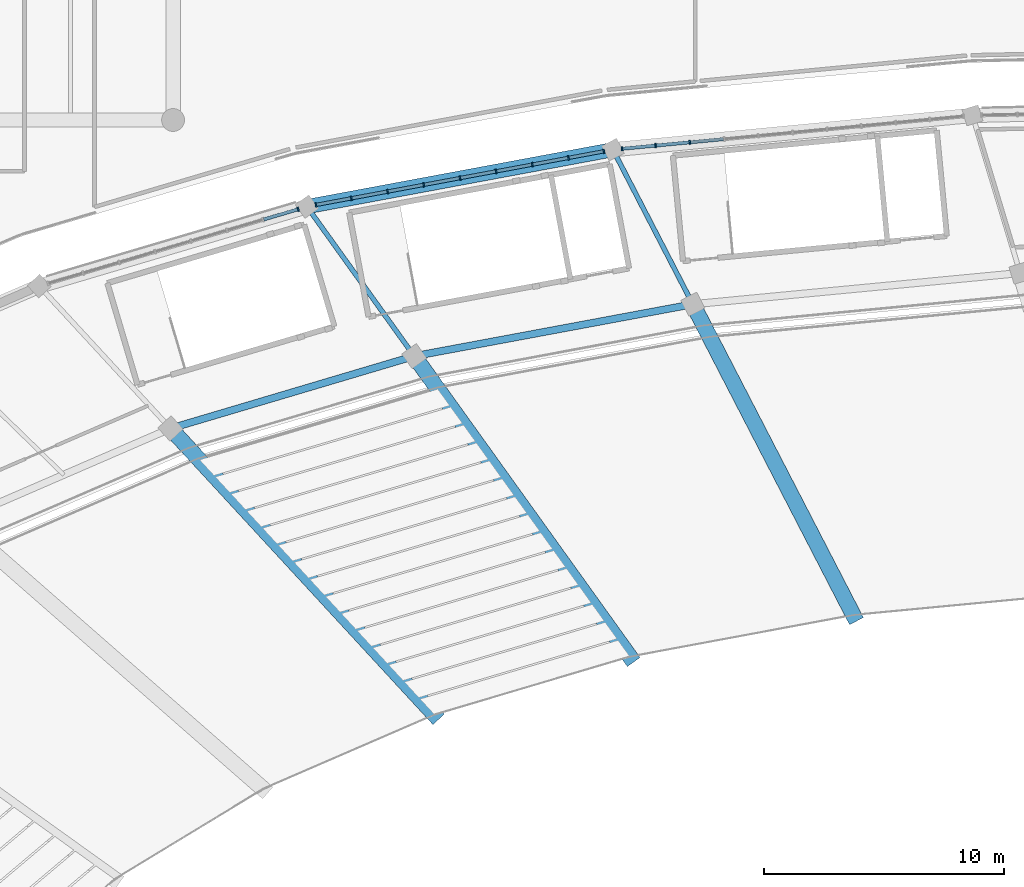
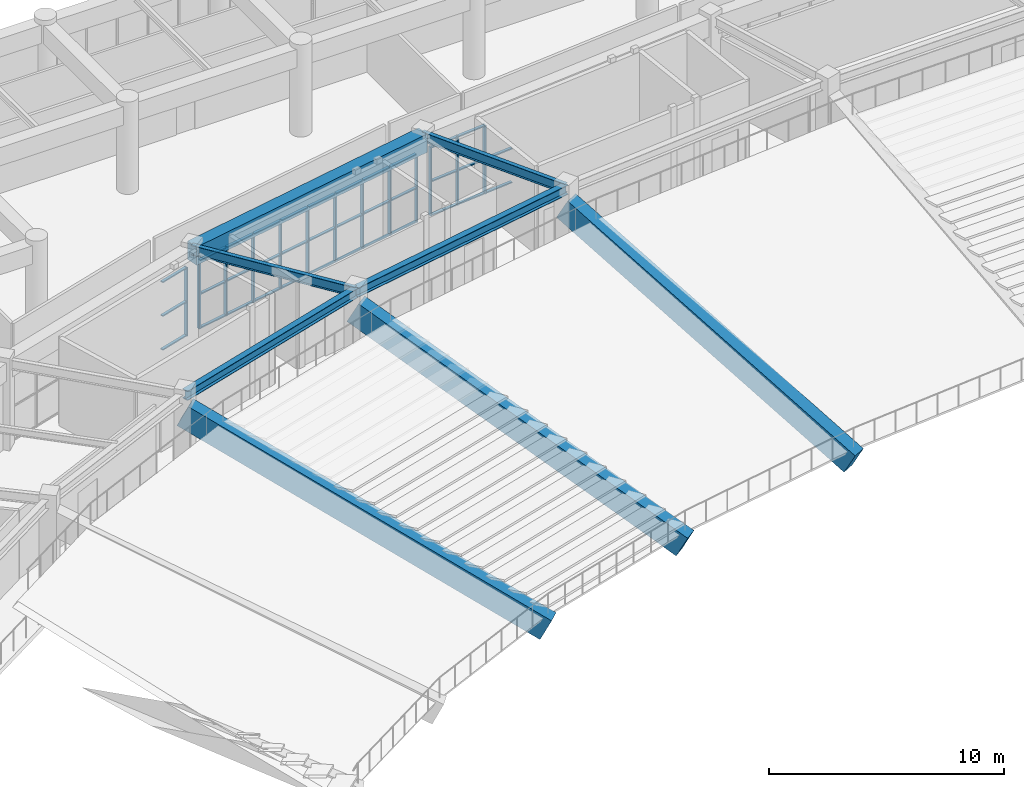
# One storey, part 58 of 137: 48 members, 8 beams, 3 elements without a shape of their own.
"""IFC4 building model written with IfcOpenShell, lengths in metres."""

from ifc_helpers import new_model, si_unit, direction, frame, origin, origin_2d, place, context, subcontext, project, spatial, rectangle, i_section, extrude, material, layer, layer_set, material_profile, profile_set, type_object, element, aggregate, save


model = new_model("IFC4")

# Units and contexts
model_context = context("Model", 3, precision=1e-05, world=origin(), true_north=direction((0.0, 1.0)))
body_context = subcontext(model_context, "Body", "Model", "MODEL_VIEW")
ifc_project = project(units=[si_unit("LENGTHUNIT", "METRE"), si_unit("AREAUNIT", "SQUARE_METRE"), si_unit("VOLUMEUNIT", "CUBIC_METRE"), si_unit("PLANEANGLEUNIT", "RADIAN"), si_unit("MASSUNIT", "GRAM", prefix="KILO")], contexts=[model_context])

# Site, building, storey
site_placement = place(None, origin())
site = spatial("IfcSite", under=ifc_project, at=site_placement, CompositionType="ELEMENT")
building_placement = place(site_placement, origin())
building = spatial("IfcBuilding", under=site, at=building_placement, Name="Mphavela Belvedere Stadium", CompositionType="ELEMENT")
storey_placement = place(building_placement, frame((0.0, 0.0, 19.199951171875)))
storey = spatial("IfcBuildingStorey", under=building, at=storey_placement, Name="L04", CompositionType="ELEMENT", Elevation=19.199951171875)

# Beams
ifc_material_1 = material(Name="Concrete C40/50", Category="concrete")
ifc_material_profile_1 = material_profile(ifc_material_1, rectangle(XDim=0.60009765625, YDim=0.949951171875, at=origin_2d()), Name="RC 600x950")
ifc_profile_set_1 = profile_set([ifc_material_profile_1], Name="Concrete C40/50")
beam_type_1 = type_object("IfcBeamType", Name="BM-ENTABLATURE-950", PredefinedType="SPANDREL", material=ifc_profile_set_1)
beam_1_placement = place(storey_placement, frame((77.92724609375, 158.767333984375, 4.074951171875), z_axis=(-0.983098571421, -0.183077029882, 0.0), x_axis=(0.183077029882, -0.983098571421, 0.0)))
element("IfcBeam", 1, at=beam_1_placement, inside=storey, type_object=beam_type_1, Name="Circumferential girder L04 R4-15", PredefinedType="SPANDREL", context=body_context, shape_type="SweptSolid", body=[
    extrude(rectangle(XDim=0.60009765625, YDim=0.949951171875, at=origin_2d()), origin(), (0.0, 0.0, 1.0), 12.947265625),
])
ifc_material_2 = material(Name="Precast concrete C45/55", Category="concrete")
ifc_material_profile_2 = material_profile(ifc_material_2, rectangle(XDim=0.64990234375, YDim=1.199951171875, at=origin_2d()), Name="PC 650x1200")
ifc_profile_set_2 = profile_set([ifc_material_profile_2], Name="Precast concrete C45/55")
beam_type_2 = type_object("IfcBeamType", Name="BM-RAKER-UPPER", PredefinedType="USERDEFINED", material=ifc_profile_set_2)
beam_2_placement = place(storey_placement, frame((87.9296875, 139.40380859375, -4.349853515625), z_axis=(-0.405096393963, 0.784223741656, 0.469989398413), x_axis=(-0.888465577713, -0.458943261437, 0.0)))
element("IfcBeam", 2, at=beam_2_placement, inside=storey, type_object=beam_type_2, Name="Upper tier precast cantilever raker beam RK-U-15", ObjectType="RAKER BEAM", PredefinedType="USERDEFINED", context=body_context, shape_type="SweptSolid", body=[
    extrude(rectangle(XDim=0.64990234375, YDim=1.199951171875, at=origin_2d()), origin(), (0.0, 0.0, 1.0), 16.48974609375),
])
beam_3_placement = place(storey_placement, frame((78.6357421875, 137.6728515625, -4.349853515625), z_axis=(-0.52074281352, 0.725648225206, 0.449735005778), x_axis=(-0.812448575999, -0.583032856155, 0.0)))
element("IfcBeam", 3, at=beam_3_placement, inside=storey, type_object=beam_type_2, Name="Upper tier precast cantilever raker beam RK-U-16", ObjectType="RAKER BEAM", PredefinedType="USERDEFINED", context=body_context, shape_type="SweptSolid", body=[
    extrude(rectangle(XDim=0.64990234375, YDim=1.199951171875, at=origin_2d()), origin(), (0.0, 0.0, 1.0), 17.232421875),
])
beam_4_placement = place(storey_placement, frame((70.504150390625, 135.259033203125, -4.349853515625), z_axis=(-0.611484833259, 0.66318967186, 0.43158516869), x_axis=(-0.73518469662, -0.6778668467, 0.0)))
element("IfcBeam", 4, at=beam_4_placement, inside=storey, type_object=beam_type_2, Name="Upper tier precast cantilever raker beam RK-U-17", ObjectType="RAKER BEAM", PredefinedType="USERDEFINED", context=body_context, shape_type="SweptSolid", body=[
    extrude(rectangle(XDim=0.64990234375, YDim=1.199951171875, at=origin_2d()), origin(), (0.0, 0.0, 1.0), 17.95703125),
])
ifc_material_3 = material(Name="Steel S355", Category="steel")
ifc_material_profile_3 = material_profile(ifc_material_3, i_section(OverallWidth=0.300048828125, OverallDepth=0.489990234375, WebThickness=0.011962890625, FlangeThickness=0.02294921875, at=origin_2d()), Name="HEA 500")
ifc_profile_set_3 = profile_set([ifc_material_profile_3], Name="Steel S355")
beam_type_3 = type_object("IfcBeamType", Name="BM-STEEL-HEA500", PredefinedType="BEAM", material=ifc_profile_set_3)
beam_5_placement = place(storey_placement, frame((81.249755859375, 152.33544921875, 4.304931640625), z_axis=(-0.983097725009, -0.18308157494, 0.0), x_axis=(0.18308157494, -0.983097725009, 0.0)))
element("IfcBeam", 5, at=beam_5_placement, inside=storey, type_object=beam_type_3, Name="Circumferential girder L04 R3-15", PredefinedType="BEAM", context=body_context, shape_type="SweptSolid", body=[
    extrude(i_section(OverallWidth=0.300048828125, OverallDepth=0.489990234375, WebThickness=0.011962890625, FlangeThickness=0.02294921875, at=origin_2d()), origin(), (0.0, 0.0, 1.0), 11.786865234375),
])
beam_6_placement = place(storey_placement, frame((69.662109375, 150.177490234375, 4.304931640625), z_axis=(-0.958655230784, -0.284570111731, 0.0), x_axis=(0.284570111731, -0.958655230784, 0.0)))
element("IfcBeam", 6, at=beam_6_placement, inside=storey, type_object=beam_type_3, Name="Circumferential girder L04 R3-16", PredefinedType="BEAM", context=body_context, shape_type="SweptSolid", body=[
    extrude(i_section(OverallWidth=0.300048828125, OverallDepth=0.489990234375, WebThickness=0.011962890625, FlangeThickness=0.02294921875, at=origin_2d()), origin(), (0.0, 0.0, 1.0), 10.57568359375),
])
ifc_material_4 = material(Name="Steel S355", Category="steel")
ifc_material_profile_4 = material_profile(ifc_material_4, i_section(OverallWidth=0.199951171875, OverallDepth=0.5, WebThickness=0.01025390625, FlangeThickness=0.01611328125, at=origin_2d()), Name="IPE 500")
ifc_profile_set_4 = profile_set([ifc_material_profile_4], Name="Steel S355")
beam_type_4 = type_object("IfcBeamType", Name="BM-STEEL-IPE500", PredefinedType="BEAM", material=ifc_profile_set_4)
beam_7_placement = place(storey_placement, frame((81.249755859375, 152.33544921875, 4.300048828125), z_axis=(-0.458951286165, 0.888461432436, 0.0), x_axis=(-0.888461432436, -0.458951286165, 0.0)))
element("IfcBeam", 7, at=beam_7_placement, inside=storey, type_object=beam_type_4, Name="Radial concourse girder L04 R3R4-15", PredefinedType="BEAM", context=body_context, shape_type="SweptSolid", body=[
    extrude(i_section(OverallWidth=0.199951171875, OverallDepth=0.5, WebThickness=0.01025390625, FlangeThickness=0.01611328125, at=origin_2d()), origin(), (0.0, 0.0, 1.0), 7.2392578125),
])
beam_8_placement = place(storey_placement, frame((69.662109375, 150.177490234375, 4.300048828125), z_axis=(-0.583043812448, 0.812440713385, 0.0), x_axis=(-0.812440713385, -0.583043812448, 0.0)))
element("IfcBeam", 8, at=beam_8_placement, inside=storey, type_object=beam_type_4, Name="Radial concourse girder L04 R3R4-16", PredefinedType="BEAM", context=body_context, shape_type="SweptSolid", body=[
    extrude(i_section(OverallWidth=0.199951171875, OverallDepth=0.5, WebThickness=0.01025390625, FlangeThickness=0.01611328125, at=origin_2d()), origin(), (0.0, 0.0, 1.0), 7.6552734375),
])

# Curtain wall, members
ifc_material_5 = material(Name="Anodised bronze unitised curtain wall framing")
ifc_layer_1 = layer(ifc_material_5, 0.195068359375)
ifc_layer_set_1 = layer_set([ifc_layer_1], Name="Anodised bronze unitised curtain wall framing")
curtain_wall_type_1 = type_object("IfcCurtainWallType", Name="CW-UNIT-04", PredefinedType="USERDEFINED", material=ifc_layer_set_1)
curtain_wall_1_placement = place(storey_placement, origin())
curtain_wall_1 = element("IfcCurtainWall", 9, at=curtain_wall_1_placement, inside=storey, type_object=curtain_wall_type_1, Name="Belvedere colonnade curtain wall L04-14", ObjectType="UNITISED CURTAIN WALL", PredefinedType="USERDEFINED")
ifc_material_6 = material(Name="Anodised bronze extruded aluminium", Category="aluminium")
ifc_material_profile_5 = material_profile(ifc_material_6, rectangle(XDim=0.179931640625, YDim=0.06494140625, at=origin_2d()), Name="CW-MUL 180x65")
ifc_profile_set_5 = profile_set([ifc_material_profile_5], Name="Anodised bronze extruded aluminium")
member_type_1 = type_object("IfcMemberType", Name="CWM-180x65", PredefinedType="MULLION", material=ifc_profile_set_5)
member_1_placement = place(storey_placement, frame((81.126708984375, 159.072509765625, 0.0), z_axis=(0.0, 0.0, 1.0), x_axis=(0.094932913757, -0.995483672335, 0.0)))
member_1 = element("IfcMember", 10, at=member_1_placement, type_object=member_type_1, Name="CW-04 mullion 9", PredefinedType="MULLION", context=body_context, shape_type="SweptSolid", body=[
    extrude(rectangle(XDim=0.179931640625, YDim=0.06494140625, at=origin_2d()), origin(), (0.0, 0.0, 1.0), 3.570068359375),
])
member_2_placement = place(storey_placement, frame((79.7001953125, 158.9365234375, 0.0), z_axis=(0.0, 0.0, 1.0), x_axis=(0.094932913757, -0.995483672335, 0.0)))
member_2 = element("IfcMember", 11, at=member_2_placement, type_object=member_type_1, Name="CW-04 mullion 10", PredefinedType="MULLION", context=body_context, shape_type="SweptSolid", body=[
    extrude(rectangle(XDim=0.179931640625, YDim=0.06494140625, at=origin_2d()), origin(), (0.0, 0.0, 1.0), 3.570068359375),
])
member_3_placement = place(storey_placement, frame((78.305908203125, 158.803466796875, 0.0), z_axis=(0.0, 0.0, 1.0), x_axis=(0.094932913757, -0.995483672335, 0.0)))
member_3 = element("IfcMember", 12, at=member_3_placement, type_object=member_type_1, Name="CW-04 mullion 11", PredefinedType="MULLION", context=body_context, shape_type="SweptSolid", body=[
    extrude(rectangle(XDim=0.179931640625, YDim=0.06494140625, at=origin_2d()), origin(), (0.0, 0.0, 1.0), 3.570068359375),
])

ifc_material_7 = material(Name="Anodised bronze unitised curtain wall framing")
ifc_layer_2 = layer(ifc_material_7, 0.199951171875)
ifc_layer_set_2 = layer_set([ifc_layer_2], Name="Anodised bronze unitised curtain wall framing")
curtain_wall_type_2 = type_object("IfcCurtainWallType", Name="CW-UNIT-05", PredefinedType="USERDEFINED", material=ifc_layer_set_2)
curtain_wall_2_placement = place(storey_placement, origin())
curtain_wall_2 = element("IfcCurtainWall", 13, at=curtain_wall_2_placement, inside=storey, type_object=curtain_wall_type_2, Name="Belvedere colonnade curtain wall L04-15", ObjectType="UNITISED CURTAIN WALL", PredefinedType="USERDEFINED")
member_4_placement = place(storey_placement, frame((77.55322265625, 158.69775390625, 0.0), z_axis=(0.0, 0.0, 1.0), x_axis=(0.183090835302, -0.983096000413, 0.0)))
member_4 = element("IfcMember", 14, at=member_4_placement, type_object=member_type_1, Name="CW-05 mullion 1", PredefinedType="MULLION", context=body_context, shape_type="SweptSolid", body=[
    extrude(rectangle(XDim=0.179931640625, YDim=0.06494140625, at=origin_2d()), origin(), (0.0, 0.0, 1.0), 3.570068359375),
])
member_5_placement = place(storey_placement, frame((76.07958984375, 158.42333984375, 0.0), z_axis=(0.0, 0.0, 1.0), x_axis=(0.183090835302, -0.983096000413, 0.0)))
member_5 = element("IfcMember", 15, at=member_5_placement, type_object=member_type_1, Name="CW-05 mullion 2", PredefinedType="MULLION", context=body_context, shape_type="SweptSolid", body=[
    extrude(rectangle(XDim=0.179931640625, YDim=0.06494140625, at=origin_2d()), origin(), (0.0, 0.0, 1.0), 3.570068359375),
])
member_6_placement = place(storey_placement, frame((74.573974609375, 158.142822265625, 0.0), z_axis=(0.0, 0.0, 1.0), x_axis=(0.183090835302, -0.983096000413, 0.0)))
member_6 = element("IfcMember", 16, at=member_6_placement, type_object=member_type_1, Name="CW-05 mullion 3", PredefinedType="MULLION", context=body_context, shape_type="SweptSolid", body=[
    extrude(rectangle(XDim=0.179931640625, YDim=0.06494140625, at=origin_2d()), origin(), (0.0, 0.0, 1.0), 3.570068359375),
])
member_7_placement = place(storey_placement, frame((73.068603515625, 157.862548828125, 0.0), z_axis=(0.0, 0.0, 1.0), x_axis=(0.183090835302, -0.983096000413, 0.0)))
member_7 = element("IfcMember", 17, at=member_7_placement, type_object=member_type_1, Name="CW-05 mullion 4", PredefinedType="MULLION", context=body_context, shape_type="SweptSolid", body=[
    extrude(rectangle(XDim=0.179931640625, YDim=0.06494140625, at=origin_2d()), origin(), (0.0, 0.0, 1.0), 3.570068359375),
])
member_8_placement = place(storey_placement, frame((71.56298828125, 157.58203125, 0.0), z_axis=(0.0, 0.0, 1.0), x_axis=(0.183090835302, -0.983096000413, 0.0)))
member_8 = element("IfcMember", 18, at=member_8_placement, type_object=member_type_1, Name="CW-05 mullion 5", PredefinedType="MULLION", context=body_context, shape_type="SweptSolid", body=[
    extrude(rectangle(XDim=0.179931640625, YDim=0.06494140625, at=origin_2d()), origin(), (0.0, 0.0, 1.0), 3.570068359375),
])
member_9_placement = place(storey_placement, frame((70.057373046875, 157.3017578125, 0.0), z_axis=(0.0, 0.0, 1.0), x_axis=(0.183090835302, -0.983096000413, 0.0)))
member_9 = element("IfcMember", 19, at=member_9_placement, type_object=member_type_1, Name="CW-05 mullion 6", PredefinedType="MULLION", context=body_context, shape_type="SweptSolid", body=[
    extrude(rectangle(XDim=0.179931640625, YDim=0.06494140625, at=origin_2d()), origin(), (0.0, 0.0, 1.0), 3.570068359375),
])
member_10_placement = place(storey_placement, frame((68.552001953125, 157.021484375, 0.0), z_axis=(0.0, 0.0, 1.0), x_axis=(0.183090835302, -0.983096000413, 0.0)))
member_10 = element("IfcMember", 20, at=member_10_placement, type_object=member_type_1, Name="CW-05 mullion 7", PredefinedType="MULLION", context=body_context, shape_type="SweptSolid", body=[
    extrude(rectangle(XDim=0.179931640625, YDim=0.06494140625, at=origin_2d()), origin(), (0.0, 0.0, 1.0), 3.570068359375),
])
member_11_placement = place(storey_placement, frame((67.04638671875, 156.740966796875, 0.0), z_axis=(0.0, 0.0, 1.0), x_axis=(0.183090835302, -0.983096000413, 0.0)))
member_11 = element("IfcMember", 21, at=member_11_placement, type_object=member_type_1, Name="CW-05 mullion 8", PredefinedType="MULLION", context=body_context, shape_type="SweptSolid", body=[
    extrude(rectangle(XDim=0.179931640625, YDim=0.06494140625, at=origin_2d()), origin(), (0.0, 0.0, 1.0), 3.570068359375),
])
member_12_placement = place(storey_placement, frame((65.57275390625, 156.466552734375, 0.0), z_axis=(0.0, 0.0, 1.0), x_axis=(0.183090835302, -0.983096000413, 0.0)))
member_12 = element("IfcMember", 22, at=member_12_placement, type_object=member_type_1, Name="CW-05 mullion 9", PredefinedType="MULLION", context=body_context, shape_type="SweptSolid", body=[
    extrude(rectangle(XDim=0.179931640625, YDim=0.06494140625, at=origin_2d()), origin(), (0.0, 0.0, 1.0), 3.570068359375),
])

# Curtain wall, member
ifc_material_8 = material(Name="Anodised bronze unitised curtain wall framing")
ifc_layer_3 = layer(ifc_material_8, 0.205078125)
ifc_layer_set_3 = layer_set([ifc_layer_3], Name="Anodised bronze unitised curtain wall framing")
curtain_wall_type_3 = type_object("IfcCurtainWallType", Name="CW-UNIT-06", PredefinedType="USERDEFINED", material=ifc_layer_set_3)
curtain_wall_3_placement = place(storey_placement, origin())
curtain_wall_3 = element("IfcCurtainWall", 23, at=curtain_wall_3_placement, inside=storey, type_object=curtain_wall_type_3, Name="Belvedere colonnade curtain wall L04-16", ObjectType="UNITISED CURTAIN WALL", PredefinedType="USERDEFINED")
member_13_placement = place(storey_placement, frame((64.833984375, 156.28857421875, 0.0), z_axis=(0.0, 0.0, 1.0), x_axis=(0.284560945489, -0.958657951671, 0.0)))
member_13 = element("IfcMember", 24, at=member_13_placement, type_object=member_type_1, Name="CW-06 mullion 1", PredefinedType="MULLION", context=body_context, shape_type="SweptSolid", body=[
    extrude(rectangle(XDim=0.179931640625, YDim=0.06494140625, at=origin_2d()), origin(), (0.0, 0.0, 1.0), 3.570068359375),
])

# Member
ifc_material_9 = material(Name="Anodised bronze extruded aluminium", Category="aluminium")
ifc_material_profile_6 = material_profile(ifc_material_9, rectangle(XDim=0.139892578125, YDim=0.06005859375, at=origin_2d()), Name="CW-TRN 140x60")
ifc_profile_set_6 = profile_set([ifc_material_profile_6], Name="Anodised bronze extruded aluminium")
member_type_2 = type_object("IfcMemberType", Name="CWT-140x60", PredefinedType="USERDEFINED", material=ifc_profile_set_6)
member_14_placement = place(storey_placement, frame((82.520751953125, 159.205322265625, 0.030029296875), z_axis=(-0.99549948224, -0.094766981906, 0.0), x_axis=(0.094766981906, -0.99549948224, 0.0)))
member_14 = element("IfcMember", 25, at=member_14_placement, type_object=member_type_2, Name="CW-04 transom 8.1", ObjectType="TRANSOM", PredefinedType="USERDEFINED", context=body_context, shape_type="SweptSolid", body=[
    extrude(rectangle(XDim=0.139892578125, YDim=0.06005859375, at=origin_2d()), origin(), (0.0, 0.0, 1.0), 1.367919921875),
])

member_15_placement = place(storey_placement, frame((82.520751953125, 159.205322265625, 1.78515625), z_axis=(-0.99549948224, -0.094766981906, 0.0), x_axis=(0.094766981906, -0.99549948224, 0.0)))
member_15 = element("IfcMember", 26, at=member_15_placement, type_object=member_type_2, Name="CW-04 transom 8.2", ObjectType="TRANSOM", PredefinedType="USERDEFINED", context=body_context, shape_type="SweptSolid", body=[
    extrude(rectangle(XDim=0.139892578125, YDim=0.06005859375, at=origin_2d()), origin(), (0.0, 0.0, 1.0), 1.367919921875),
])

member_16_placement = place(storey_placement, frame((81.09423828125, 159.0693359375, 0.030029296875), z_axis=(-0.995482629973, -0.094943843518, 0.0), x_axis=(0.094943843518, -0.995482629973, 0.0)))
member_16 = element("IfcMember", 27, at=member_16_placement, type_object=member_type_2, Name="CW-04 transom 9.1", ObjectType="TRANSOM", PredefinedType="USERDEFINED", context=body_context, shape_type="SweptSolid", body=[
    extrude(rectangle(XDim=0.139892578125, YDim=0.06005859375, at=origin_2d()), origin(), (0.0, 0.0, 1.0), 1.367919921875),
])

member_17_placement = place(storey_placement, frame((81.09423828125, 159.0693359375, 1.78515625), z_axis=(-0.995482629973, -0.094943843518, 0.0), x_axis=(0.094943843518, -0.995482629973, 0.0)))
member_17 = element("IfcMember", 28, at=member_17_placement, type_object=member_type_2, Name="CW-04 transom 9.2", ObjectType="TRANSOM", PredefinedType="USERDEFINED", context=body_context, shape_type="SweptSolid", body=[
    extrude(rectangle(XDim=0.139892578125, YDim=0.06005859375, at=origin_2d()), origin(), (0.0, 0.0, 1.0), 1.367919921875),
])

member_18_placement = place(storey_placement, frame((81.09423828125, 159.0693359375, 3.5400390625), z_axis=(-0.995482629973, -0.094943843518, 0.0), x_axis=(0.094943843518, -0.995482629973, 0.0)))
member_18 = element("IfcMember", 29, at=member_18_placement, type_object=member_type_2, Name="CW-04 transom 9.3", ObjectType="TRANSOM", PredefinedType="USERDEFINED", context=body_context, shape_type="SweptSolid", body=[
    extrude(rectangle(XDim=0.139892578125, YDim=0.06005859375, at=origin_2d()), origin(), (0.0, 0.0, 1.0), 1.367919921875),
])

member_19_placement = place(storey_placement, frame((79.667724609375, 158.933349609375, 0.030029296875), z_axis=(-0.995488074353, -0.094886742073, 0.0), x_axis=(0.094886742073, -0.995488074353, 0.0)))
member_19 = element("IfcMember", 30, at=member_19_placement, type_object=member_type_2, Name="CW-04 transom 10.1", ObjectType="TRANSOM", PredefinedType="USERDEFINED", context=body_context, shape_type="SweptSolid", body=[
    extrude(rectangle(XDim=0.139892578125, YDim=0.06005859375, at=origin_2d()), origin(), (0.0, 0.0, 1.0), 1.33544921875),
])

member_20_placement = place(storey_placement, frame((79.667724609375, 158.933349609375, 1.78515625), z_axis=(-0.995488074353, -0.094886742073, 0.0), x_axis=(0.094886742073, -0.995488074353, 0.0)))
member_20 = element("IfcMember", 31, at=member_20_placement, type_object=member_type_2, Name="CW-04 transom 10.2", ObjectType="TRANSOM", PredefinedType="USERDEFINED", context=body_context, shape_type="SweptSolid", body=[
    extrude(rectangle(XDim=0.139892578125, YDim=0.06005859375, at=origin_2d()), origin(), (0.0, 0.0, 1.0), 1.33544921875),
])

member_21_placement = place(storey_placement, frame((79.667724609375, 158.933349609375, 3.5400390625), z_axis=(-0.995488074353, -0.094886742073, 0.0), x_axis=(0.094886742073, -0.995488074353, 0.0)))
member_21 = element("IfcMember", 32, at=member_21_placement, type_object=member_type_2, Name="CW-04 transom 10.3", ObjectType="TRANSOM", PredefinedType="USERDEFINED", context=body_context, shape_type="SweptSolid", body=[
    extrude(rectangle(XDim=0.139892578125, YDim=0.06005859375, at=origin_2d()), origin(), (0.0, 0.0, 1.0), 1.33544921875),
])

aggregate(curtain_wall_1, [member_1, member_2, member_3, member_14, member_15, member_16, member_17, member_18, member_19, member_20, member_21])

member_22_placement = place(storey_placement, frame((77.521240234375, 158.69189453125, 0.030029296875), z_axis=(-0.9830758938, -0.183198763722, 0.0), x_axis=(0.183198763722, -0.9830758938, 0.0)))
member_22 = element("IfcMember", 33, at=member_22_placement, type_object=member_type_2, Name="CW-05 transom 1.1", ObjectType="TRANSOM", PredefinedType="USERDEFINED", context=body_context, shape_type="SweptSolid", body=[
    extrude(rectangle(XDim=0.139892578125, YDim=0.06005859375, at=origin_2d()), origin(), (0.0, 0.0, 1.0), 1.433837890625),
])

member_23_placement = place(storey_placement, frame((77.521240234375, 158.69189453125, 1.78515625), z_axis=(-0.9830758938, -0.183198763722, 0.0), x_axis=(0.183198763722, -0.9830758938, 0.0)))
member_23 = element("IfcMember", 34, at=member_23_placement, type_object=member_type_2, Name="CW-05 transom 1.2", ObjectType="TRANSOM", PredefinedType="USERDEFINED", context=body_context, shape_type="SweptSolid", body=[
    extrude(rectangle(XDim=0.139892578125, YDim=0.06005859375, at=origin_2d()), origin(), (0.0, 0.0, 1.0), 1.433837890625),
])

member_24_placement = place(storey_placement, frame((77.521240234375, 158.69189453125, 3.5400390625), z_axis=(-0.9830758938, -0.183198763722, 0.0), x_axis=(0.183198763722, -0.9830758938, 0.0)))
member_24 = element("IfcMember", 35, at=member_24_placement, type_object=member_type_2, Name="CW-05 transom 1.3", ObjectType="TRANSOM", PredefinedType="USERDEFINED", context=body_context, shape_type="SweptSolid", body=[
    extrude(rectangle(XDim=0.139892578125, YDim=0.06005859375, at=origin_2d()), origin(), (0.0, 0.0, 1.0), 1.433837890625),
])

member_25_placement = place(storey_placement, frame((76.047607421875, 158.41748046875, 0.030029296875), z_axis=(-0.983088250536, -0.183132442945, 0.0), x_axis=(0.183132442945, -0.983088250536, 0.0)))
member_25 = element("IfcMember", 36, at=member_25_placement, type_object=member_type_2, Name="CW-05 transom 2.1", ObjectType="TRANSOM", PredefinedType="USERDEFINED", context=body_context, shape_type="SweptSolid", body=[
    extrude(rectangle(XDim=0.139892578125, YDim=0.06005859375, at=origin_2d()), origin(), (0.0, 0.0, 1.0), 1.466552734375),
])

member_26_placement = place(storey_placement, frame((76.047607421875, 158.41748046875, 1.78515625), z_axis=(-0.983088250536, -0.183132442945, 0.0), x_axis=(0.183132442945, -0.983088250536, 0.0)))
member_26 = element("IfcMember", 37, at=member_26_placement, type_object=member_type_2, Name="CW-05 transom 2.2", ObjectType="TRANSOM", PredefinedType="USERDEFINED", context=body_context, shape_type="SweptSolid", body=[
    extrude(rectangle(XDim=0.139892578125, YDim=0.06005859375, at=origin_2d()), origin(), (0.0, 0.0, 1.0), 1.466552734375),
])

member_27_placement = place(storey_placement, frame((76.047607421875, 158.41748046875, 3.5400390625), z_axis=(-0.983088250536, -0.183132442945, 0.0), x_axis=(0.183132442945, -0.983088250536, 0.0)))
member_27 = element("IfcMember", 38, at=member_27_placement, type_object=member_type_2, Name="CW-05 transom 2.3", ObjectType="TRANSOM", PredefinedType="USERDEFINED", context=body_context, shape_type="SweptSolid", body=[
    extrude(rectangle(XDim=0.139892578125, YDim=0.06005859375, at=origin_2d()), origin(), (0.0, 0.0, 1.0), 1.466552734375),
])

member_28_placement = place(storey_placement, frame((74.5419921875, 158.136962890625, 0.030029296875), z_axis=(-0.983082665707, -0.183162420779, 0.0), x_axis=(0.183162420779, -0.983082665707, 0.0)))
member_28 = element("IfcMember", 39, at=member_28_placement, type_object=member_type_2, Name="CW-05 transom 3.1", ObjectType="TRANSOM", PredefinedType="USERDEFINED", context=body_context, shape_type="SweptSolid", body=[
    extrude(rectangle(XDim=0.139892578125, YDim=0.06005859375, at=origin_2d()), origin(), (0.0, 0.0, 1.0), 1.46630859375),
])

member_29_placement = place(storey_placement, frame((74.5419921875, 158.136962890625, 1.78515625), z_axis=(-0.983082665707, -0.183162420779, 0.0), x_axis=(0.183162420779, -0.983082665707, 0.0)))
member_29 = element("IfcMember", 40, at=member_29_placement, type_object=member_type_2, Name="CW-05 transom 3.2", ObjectType="TRANSOM", PredefinedType="USERDEFINED", context=body_context, shape_type="SweptSolid", body=[
    extrude(rectangle(XDim=0.139892578125, YDim=0.06005859375, at=origin_2d()), origin(), (0.0, 0.0, 1.0), 1.46630859375),
])

member_30_placement = place(storey_placement, frame((74.5419921875, 158.136962890625, 3.5400390625), z_axis=(-0.983082665707, -0.183162420779, 0.0), x_axis=(0.183162420779, -0.983082665707, 0.0)))
member_30 = element("IfcMember", 41, at=member_30_placement, type_object=member_type_2, Name="CW-05 transom 3.3", ObjectType="TRANSOM", PredefinedType="USERDEFINED", context=body_context, shape_type="SweptSolid", body=[
    extrude(rectangle(XDim=0.139892578125, YDim=0.06005859375, at=origin_2d()), origin(), (0.0, 0.0, 1.0), 1.46630859375),
])

member_31_placement = place(storey_placement, frame((73.03662109375, 157.856689453125, 0.030029296875), z_axis=(-0.983088250536, -0.183132442945, 0.0), x_axis=(0.183132442945, -0.983088250536, 0.0)))
member_31 = element("IfcMember", 42, at=member_31_placement, type_object=member_type_2, Name="CW-05 transom 4.1", ObjectType="TRANSOM", PredefinedType="USERDEFINED", context=body_context, shape_type="SweptSolid", body=[
    extrude(rectangle(XDim=0.139892578125, YDim=0.06005859375, at=origin_2d()), origin(), (0.0, 0.0, 1.0), 1.466552734375),
])

member_32_placement = place(storey_placement, frame((73.03662109375, 157.856689453125, 1.78515625), z_axis=(-0.983088250536, -0.183132442945, 0.0), x_axis=(0.183132442945, -0.983088250536, 0.0)))
member_32 = element("IfcMember", 43, at=member_32_placement, type_object=member_type_2, Name="CW-05 transom 4.2", ObjectType="TRANSOM", PredefinedType="USERDEFINED", context=body_context, shape_type="SweptSolid", body=[
    extrude(rectangle(XDim=0.139892578125, YDim=0.06005859375, at=origin_2d()), origin(), (0.0, 0.0, 1.0), 1.466552734375),
])

member_33_placement = place(storey_placement, frame((73.03662109375, 157.856689453125, 3.5400390625), z_axis=(-0.983088250536, -0.183132442945, 0.0), x_axis=(0.183132442945, -0.983088250536, 0.0)))
member_33 = element("IfcMember", 44, at=member_33_placement, type_object=member_type_2, Name="CW-05 transom 4.3", ObjectType="TRANSOM", PredefinedType="USERDEFINED", context=body_context, shape_type="SweptSolid", body=[
    extrude(rectangle(XDim=0.139892578125, YDim=0.06005859375, at=origin_2d()), origin(), (0.0, 0.0, 1.0), 1.466552734375),
])

member_34_placement = place(storey_placement, frame((71.531005859375, 157.576171875, 0.030029296875), z_axis=(-0.983088250536, -0.183132442945, 0.0), x_axis=(0.183132442945, -0.983088250536, 0.0)))
member_34 = element("IfcMember", 45, at=member_34_placement, type_object=member_type_2, Name="CW-05 transom 5.1", ObjectType="TRANSOM", PredefinedType="USERDEFINED", context=body_context, shape_type="SweptSolid", body=[
    extrude(rectangle(XDim=0.139892578125, YDim=0.06005859375, at=origin_2d()), origin(), (0.0, 0.0, 1.0), 1.466552734375),
])

member_35_placement = place(storey_placement, frame((71.531005859375, 157.576171875, 1.78515625), z_axis=(-0.983088250536, -0.183132442945, 0.0), x_axis=(0.183132442945, -0.983088250536, 0.0)))
member_35 = element("IfcMember", 46, at=member_35_placement, type_object=member_type_2, Name="CW-05 transom 5.2", ObjectType="TRANSOM", PredefinedType="USERDEFINED", context=body_context, shape_type="SweptSolid", body=[
    extrude(rectangle(XDim=0.139892578125, YDim=0.06005859375, at=origin_2d()), origin(), (0.0, 0.0, 1.0), 1.466552734375),
])

member_36_placement = place(storey_placement, frame((71.531005859375, 157.576171875, 3.5400390625), z_axis=(-0.983088250536, -0.183132442945, 0.0), x_axis=(0.183132442945, -0.983088250536, 0.0)))
member_36 = element("IfcMember", 47, at=member_36_placement, type_object=member_type_2, Name="CW-05 transom 5.3", ObjectType="TRANSOM", PredefinedType="USERDEFINED", context=body_context, shape_type="SweptSolid", body=[
    extrude(rectangle(XDim=0.139892578125, YDim=0.06005859375, at=origin_2d()), origin(), (0.0, 0.0, 1.0), 1.466552734375),
])

member_37_placement = place(storey_placement, frame((70.025634765625, 157.2958984375, 0.030029296875), z_axis=(-0.983088250536, -0.183132442945, 0.0), x_axis=(0.183132442945, -0.983088250536, 0.0)))
member_37 = element("IfcMember", 48, at=member_37_placement, type_object=member_type_2, Name="CW-05 transom 6.1", ObjectType="TRANSOM", PredefinedType="USERDEFINED", context=body_context, shape_type="SweptSolid", body=[
    extrude(rectangle(XDim=0.139892578125, YDim=0.06005859375, at=origin_2d()), origin(), (0.0, 0.0, 1.0), 1.466552734375),
])

member_38_placement = place(storey_placement, frame((70.025634765625, 157.2958984375, 1.78515625), z_axis=(-0.983088250536, -0.183132442945, 0.0), x_axis=(0.183132442945, -0.983088250536, 0.0)))
member_38 = element("IfcMember", 49, at=member_38_placement, type_object=member_type_2, Name="CW-05 transom 6.2", ObjectType="TRANSOM", PredefinedType="USERDEFINED", context=body_context, shape_type="SweptSolid", body=[
    extrude(rectangle(XDim=0.139892578125, YDim=0.06005859375, at=origin_2d()), origin(), (0.0, 0.0, 1.0), 1.466552734375),
])

member_39_placement = place(storey_placement, frame((70.025634765625, 157.2958984375, 3.5400390625), z_axis=(-0.983088250536, -0.183132442945, 0.0), x_axis=(0.183132442945, -0.983088250536, 0.0)))
member_39 = element("IfcMember", 50, at=member_39_placement, type_object=member_type_2, Name="CW-05 transom 6.3", ObjectType="TRANSOM", PredefinedType="USERDEFINED", context=body_context, shape_type="SweptSolid", body=[
    extrude(rectangle(XDim=0.139892578125, YDim=0.06005859375, at=origin_2d()), origin(), (0.0, 0.0, 1.0), 1.466552734375),
])

member_40_placement = place(storey_placement, frame((68.52001953125, 157.015380859375, 0.030029296875), z_axis=(-0.983088250536, -0.183132442945, 0.0), x_axis=(0.183132442945, -0.983088250536, 0.0)))
member_40 = element("IfcMember", 51, at=member_40_placement, type_object=member_type_2, Name="CW-05 transom 7.1", ObjectType="TRANSOM", PredefinedType="USERDEFINED", context=body_context, shape_type="SweptSolid", body=[
    extrude(rectangle(XDim=0.139892578125, YDim=0.06005859375, at=origin_2d()), origin(), (0.0, 0.0, 1.0), 1.466552734375),
])

member_41_placement = place(storey_placement, frame((68.52001953125, 157.015380859375, 1.78515625), z_axis=(-0.983088250536, -0.183132442945, 0.0), x_axis=(0.183132442945, -0.983088250536, 0.0)))
member_41 = element("IfcMember", 52, at=member_41_placement, type_object=member_type_2, Name="CW-05 transom 7.2", ObjectType="TRANSOM", PredefinedType="USERDEFINED", context=body_context, shape_type="SweptSolid", body=[
    extrude(rectangle(XDim=0.139892578125, YDim=0.06005859375, at=origin_2d()), origin(), (0.0, 0.0, 1.0), 1.466552734375),
])

member_42_placement = place(storey_placement, frame((68.52001953125, 157.015380859375, 3.5400390625), z_axis=(-0.983088250536, -0.183132442945, 0.0), x_axis=(0.183132442945, -0.983088250536, 0.0)))
member_42 = element("IfcMember", 53, at=member_42_placement, type_object=member_type_2, Name="CW-05 transom 7.3", ObjectType="TRANSOM", PredefinedType="USERDEFINED", context=body_context, shape_type="SweptSolid", body=[
    extrude(rectangle(XDim=0.139892578125, YDim=0.06005859375, at=origin_2d()), origin(), (0.0, 0.0, 1.0), 1.466552734375),
])

member_43_placement = place(storey_placement, frame((67.014404296875, 156.735107421875, 0.030029296875), z_axis=(-0.9830758938, -0.183198763722, 0.0), x_axis=(0.183198763722, -0.9830758938, 0.0)))
member_43 = element("IfcMember", 54, at=member_43_placement, type_object=member_type_2, Name="CW-05 transom 8.1", ObjectType="TRANSOM", PredefinedType="USERDEFINED", context=body_context, shape_type="SweptSolid", body=[
    extrude(rectangle(XDim=0.139892578125, YDim=0.06005859375, at=origin_2d()), origin(), (0.0, 0.0, 1.0), 1.433837890625),
])

member_44_placement = place(storey_placement, frame((67.014404296875, 156.735107421875, 1.78515625), z_axis=(-0.9830758938, -0.183198763722, 0.0), x_axis=(0.183198763722, -0.9830758938, 0.0)))
member_44 = element("IfcMember", 55, at=member_44_placement, type_object=member_type_2, Name="CW-05 transom 8.2", ObjectType="TRANSOM", PredefinedType="USERDEFINED", context=body_context, shape_type="SweptSolid", body=[
    extrude(rectangle(XDim=0.139892578125, YDim=0.06005859375, at=origin_2d()), origin(), (0.0, 0.0, 1.0), 1.433837890625),
])

member_45_placement = place(storey_placement, frame((67.014404296875, 156.735107421875, 3.5400390625), z_axis=(-0.9830758938, -0.183198763722, 0.0), x_axis=(0.183198763722, -0.9830758938, 0.0)))
member_45 = element("IfcMember", 56, at=member_45_placement, type_object=member_type_2, Name="CW-05 transom 8.3", ObjectType="TRANSOM", PredefinedType="USERDEFINED", context=body_context, shape_type="SweptSolid", body=[
    extrude(rectangle(XDim=0.139892578125, YDim=0.06005859375, at=origin_2d()), origin(), (0.0, 0.0, 1.0), 1.433837890625),
])

aggregate(curtain_wall_2, [member_4, member_5, member_6, member_7, member_8, member_9, member_10, member_11, member_12, member_22, member_23, member_24, member_25, member_26, member_27, member_28, member_29, member_30, member_31, member_32, member_33, member_34, member_35, member_36, member_37, member_38, member_39, member_40, member_41, member_42, member_43, member_44, member_45])

member_46_placement = place(storey_placement, frame((64.802978515625, 156.279296875, 0.030029296875), z_axis=(-0.958703767899, -0.28440654953, 0.0), x_axis=(0.28440654953, -0.958703767899, 0.0)))
member_46 = element("IfcMember", 57, at=member_46_placement, type_object=member_type_2, Name="CW-06 transom 1.1", ObjectType="TRANSOM", PredefinedType="USERDEFINED", context=body_context, shape_type="SweptSolid", body=[
    extrude(rectangle(XDim=0.139892578125, YDim=0.06005859375, at=origin_2d()), origin(), (0.0, 0.0, 1.0), 1.462646484375),
])

member_47_placement = place(storey_placement, frame((64.802978515625, 156.279296875, 1.78515625), z_axis=(-0.958703767899, -0.28440654953, 0.0), x_axis=(0.28440654953, -0.958703767899, 0.0)))
member_47 = element("IfcMember", 58, at=member_47_placement, type_object=member_type_2, Name="CW-06 transom 1.2", ObjectType="TRANSOM", PredefinedType="USERDEFINED", context=body_context, shape_type="SweptSolid", body=[
    extrude(rectangle(XDim=0.139892578125, YDim=0.06005859375, at=origin_2d()), origin(), (0.0, 0.0, 1.0), 1.462646484375),
])

member_48_placement = place(storey_placement, frame((64.802978515625, 156.279296875, 3.5400390625), z_axis=(-0.958703767899, -0.28440654953, 0.0), x_axis=(0.28440654953, -0.958703767899, 0.0)))
member_48 = element("IfcMember", 59, at=member_48_placement, type_object=member_type_2, Name="CW-06 transom 1.3", ObjectType="TRANSOM", PredefinedType="USERDEFINED", context=body_context, shape_type="SweptSolid", body=[
    extrude(rectangle(XDim=0.139892578125, YDim=0.06005859375, at=origin_2d()), origin(), (0.0, 0.0, 1.0), 1.462646484375),
])

aggregate(curtain_wall_3, [member_13, member_46, member_47, member_48])

save(model, "model.ifc")
